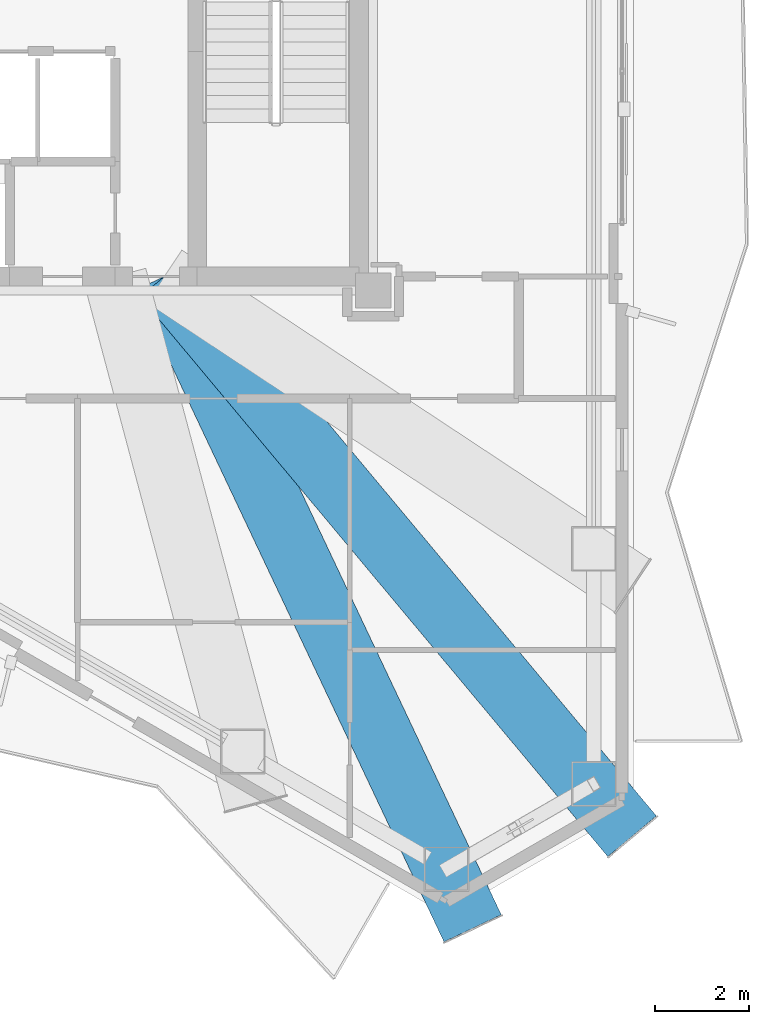
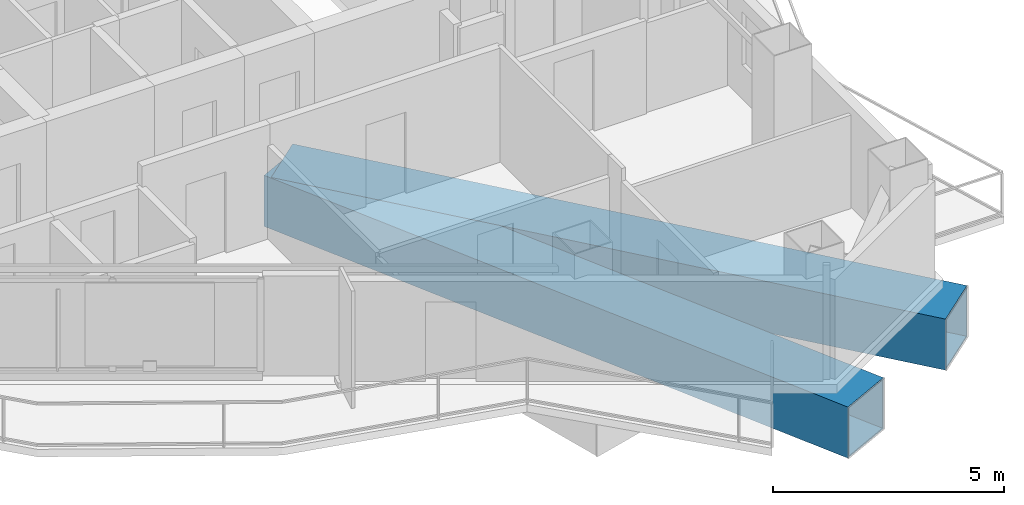
# One storey, part 5 of 22: 2 beams.
"""IFC4 building model written with IfcOpenShell, lengths in metres."""

from ifc_helpers import new_model, si_unit, direction, frame, origin, origin_2d, place, context, subcontext, project, spatial, hollow_rectangle, extrude, material, material_profile, profile_set, type_object, element, save


model = new_model("IFC4")

# Units and contexts
model_context = context("Model", 3, precision=1e-05, world=origin(), true_north=direction((0.0, 1.0)))
body_context = subcontext(model_context, "Body", "Model", "MODEL_VIEW")
ifc_project = project(units=[si_unit("LENGTHUNIT", "METRE"), si_unit("AREAUNIT", "SQUARE_METRE"), si_unit("VOLUMEUNIT", "CUBIC_METRE"), si_unit("PLANEANGLEUNIT", "RADIAN"), si_unit("MASSUNIT", "GRAM", prefix="KILO")], contexts=[model_context])

# Site, building, storey
site_placement = place(None, origin())
site = spatial("IfcSite", under=ifc_project, at=site_placement, CompositionType="ELEMENT")
building_placement = place(site_placement, origin())
building = spatial("IfcBuilding", under=site, at=building_placement, Name="Mersakhor Tower and Convention Hall", CompositionType="ELEMENT")
storey_placement = place(building_placement, frame((0.0, 0.0, 167.39990234375)))
storey = spatial("IfcBuildingStorey", under=building, at=storey_placement, Name="L46", CompositionType="ELEMENT", Elevation=167.39990234375)

# Beams
ifc_material = material(Name="Steel S460", Category="steel")
ifc_material_profile = material_profile(ifc_material, hollow_rectangle(XDim=1.35009765625, YDim=1.35009765625, WallThickness=0.035888671875, at=origin_2d()), Name="SHS 1350x1350x36")
ifc_profile_set = profile_set([ifc_material_profile], Name="Steel S460")
beam_type = type_object("IfcBeamType", Name="BM-TR-BOX1350", PredefinedType="BEAM", material=ifc_profile_set)
beam_1_placement = place(storey_placement, frame((41.619140625, 8.8173828125, -0.90478515625), z_axis=(-0.64114759648, 0.767417591359, 0.0), x_axis=(-0.767417591359, -0.64114759648, 0.0)))
element("IfcBeam", 1, at=beam_1_placement, inside=storey, type_object=beam_type, Name="L46 Taper Step Transfer Girder STG-08", PredefinedType="BEAM", context=body_context, shape_type="SweptSolid", body=[
    extrude(hollow_rectangle(XDim=1.35009765625, YDim=1.35009765625, WallThickness=0.035888671875, at=origin_2d()), origin(), (0.0, 0.0, 1.0), 15.549072265625),
])
beam_2_placement = place(storey_placement, frame((38.220458984375, 6.855224609375, -0.90478515625), z_axis=(-0.427492210905, 0.904019031667, 0.0), x_axis=(-0.904019031667, -0.427492210905, 0.0)))
element("IfcBeam", 2, at=beam_2_placement, inside=storey, type_object=beam_type, Name="L46 Taper Step Transfer Girder STG-09", PredefinedType="BEAM", context=body_context, shape_type="SweptSolid", body=[
    extrude(hollow_rectangle(XDim=1.35009765625, YDim=1.35009765625, WallThickness=0.035888671875, at=origin_2d()), origin(), (0.0, 0.0, 1.0), 15.3701171875),
])

save(model, "model.ifc")
